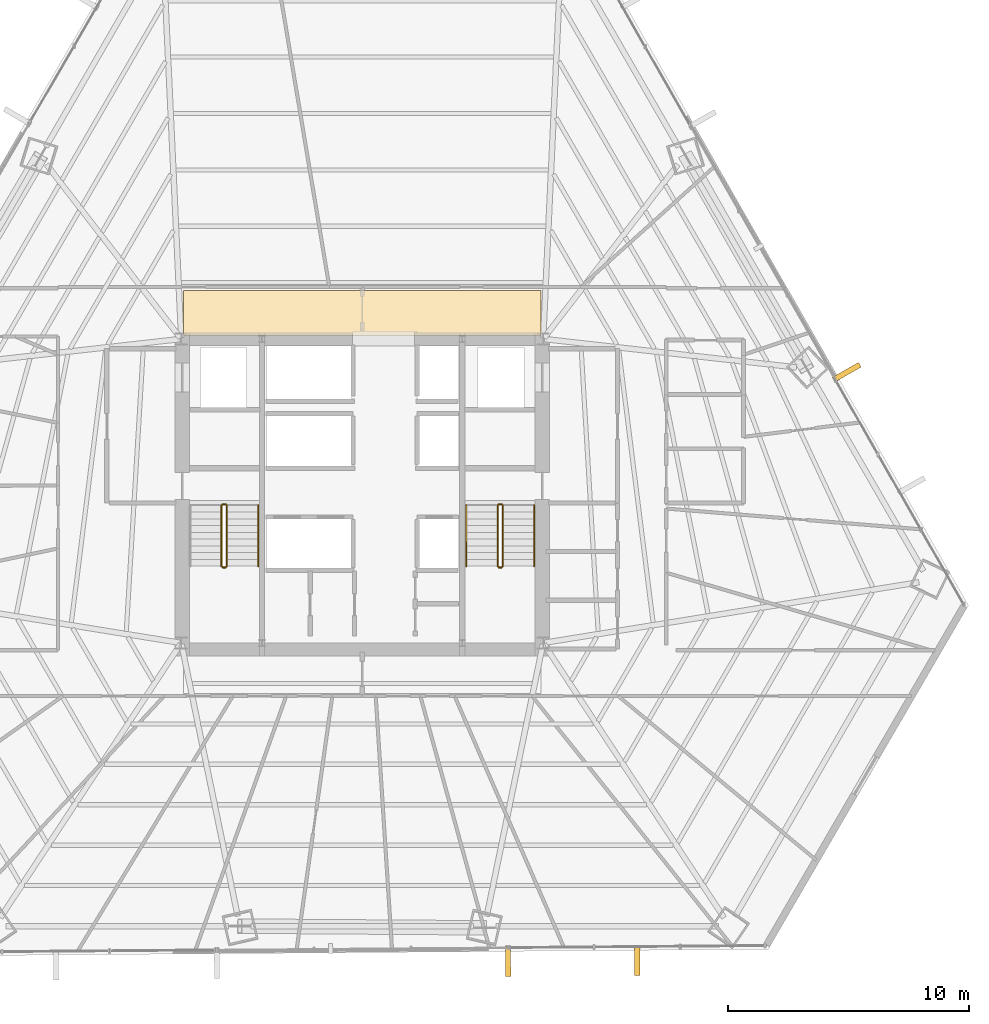
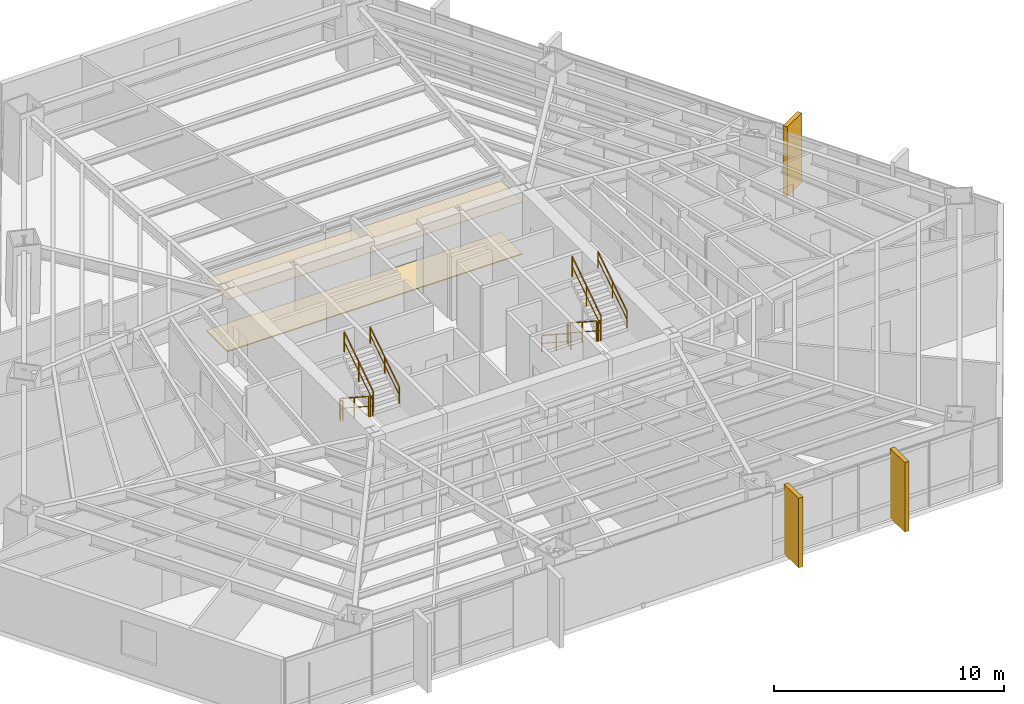
# One storey, part 37 of 38: 11 railings, 5 coverings.
"""IFC4 building model written with IfcOpenShell, lengths in metres."""

from ifc_helpers import new_model, si_unit, direction, frame, origin, origin_2d, place, context, subcontext, project, spatial, polyline, rectangle, outline, extrude, source, transform, mapped, material, layer, layer_set, type_object, type_shapes, element, save


model = new_model("IFC4")

# Units and contexts
model_context = context("Model", 3, precision=1e-05, world=origin(), true_north=direction((0.0, 1.0)))
body_context = subcontext(model_context, "Body", "Model", "MODEL_VIEW")
ifc_project = project(units=[si_unit("LENGTHUNIT", "METRE"), si_unit("AREAUNIT", "SQUARE_METRE"), si_unit("VOLUMEUNIT", "CUBIC_METRE"), si_unit("PLANEANGLEUNIT", "RADIAN"), si_unit("MASSUNIT", "GRAM", prefix="KILO")], contexts=[model_context])

# Site, building, storey
site_placement = place(None, origin())
site = spatial("IfcSite", under=ifc_project, at=site_placement, CompositionType="ELEMENT")
building_placement = place(site_placement, origin())
building = spatial("IfcBuilding", under=site, at=building_placement, Name="Caelisora Broadcast Tower", CompositionType="ELEMENT")
storey_placement = place(building_placement, frame((0.0, 0.0, 67.75)))
storey = spatial("IfcBuildingStorey", under=building, at=storey_placement, Name="L17", CompositionType="ELEMENT", Elevation=67.75)

# Coverings
ifc_material_1 = material(Name="Perforated Mineral-Fibre Acoustic Ceiling Tile", Category="gypsum")
ifc_layer_1 = layer(ifc_material_1, 0.034912109375, Name="Perforated Mineral-Fibre Acoustic Ceiling Tile")
ifc_layer_set_1 = layer_set([ifc_layer_1], Name="Perforated Mineral-Fibre Acoustic Ceiling Tile")
covering_type_1 = type_object("IfcCoveringType", Name="CE-1", PredefinedType="CEILING", material=ifc_layer_set_1)
covering_1_placement = place(storey_placement, frame((0.0, 0.0, 2.75)))
element("IfcCovering", 1, at=covering_1_placement, inside=storey, type_object=covering_type_1, Name="L17 acoustic corridor ceiling CE-1 (N)", PredefinedType="CEILING", context=body_context, shape_type="SweptSolid", body=[
    extrude(outline(polyline([(30.60009765625, 30.14990234375), (45.39990234375, 30.14990234375), (45.39990234375, 32.0), (30.60009765625, 32.0), (30.60009765625, 30.14990234375)])), origin(), (0.0, 0.0, 1.0), 0.034912109375),
])
ifc_material_2 = material(Name="Anti-Static Broadcast Raised Access Floor Panel", Category="steel")
ifc_layer_2 = layer(ifc_material_2, 0.044921875, Name="Anti-Static Broadcast Raised Access Floor Panel")
ifc_layer_set_2 = layer_set([ifc_layer_2], Name="Anti-Static Broadcast Raised Access Floor Panel")
covering_type_2 = type_object("IfcCoveringType", Name="FL-1", PredefinedType="FLOORING", material=ifc_layer_set_2)
covering_2_placement = place(storey_placement, origin())
element("IfcCovering", 2, at=covering_2_placement, inside=storey, type_object=covering_type_2, Name="L17 broadcast raised access floor FL-1 (N)", PredefinedType="FLOORING", context=body_context, shape_type="SweptSolid", body=[
    extrude(outline(polyline([(30.60009765625, 30.14990234375), (45.39990234375, 30.14990234375), (45.39990234375, 32.0), (30.60009765625, 32.0), (30.60009765625, 30.14990234375)])), origin(), (0.0, 0.0, 1.0), 0.044921875),
])

# Railings
ifc_material_3 = material(Name="Galvanised Steel Safety Guardrail", Category="steel")
ifc_layer_3 = layer(ifc_material_3, 0.048095703125, Name="Galvanised Steel Safety Guardrail")
ifc_layer_set_3 = layer_set([ifc_layer_3], Name="Galvanised Steel Safety Guardrail")
railing_type_1 = type_object("IfcRailingType", Name="GR-1", PredefinedType="GUARDRAIL", material=ifc_layer_set_3)
railing_1_placement = place(storey_placement, frame((32.169921875, 23.10009765625, 0.1826171875)))
element("IfcRailing", 3, at=railing_1_placement, inside=storey, type_object=railing_type_1, Name="L17 ST-1 stair guard 1", PredefinedType="GUARDRAIL", context=body_context, shape_type="SweptSolid", body=[
    extrude(rectangle(XDim=0.048095703125, YDim=0.048095703125, at=origin_2d()), frame((0.0, 0.0, 1.076171875), z_axis=(0.0, -0.837786554691, 0.545997883492), x_axis=(1.0, 0.0, 0.0)), (0.0, 0.0, 1.0), 3.008056640625),
    extrude(rectangle(XDim=0.03125, YDim=0.03125, at=origin_2d()), frame((0.0, 0.0, 0.550048828125), z_axis=(0.0, -0.837786554691, 0.545997883492), x_axis=(1.0, 0.0, 0.0)), (0.0, 0.0, 1.0), 3.008056640625),
    extrude(rectangle(XDim=0.0419921875, YDim=0.0419921875, at=origin_2d()), origin(), (0.0, 0.0, 1.0), 1.052001953125),
    extrude(rectangle(XDim=0.0419921875, YDim=0.0419921875, at=origin_2d()), frame((0.0, -1.260009765625, 0.8212890625)), (0.0, 0.0, 1.0), 1.052001953125),
    extrude(rectangle(XDim=0.0419921875, YDim=0.0419921875, at=origin_2d()), frame((0.0, -2.52001953125, 1.642333984375)), (0.0, 0.0, 1.0), 1.052001953125),
])
railing_2_placement = place(storey_placement, frame((32.219970703125, 20.530029296875, 1.824951171875)))
element("IfcRailing", 4, at=railing_2_placement, inside=storey, type_object=railing_type_1, Name="L17 ST-1 stair guard 2", PredefinedType="GUARDRAIL", context=body_context, shape_type="SweptSolid", body=[
    extrude(rectangle(XDim=0.048095703125, YDim=0.048095703125, at=origin_2d()), frame((0.0, 0.0, 1.076171875), z_axis=(1.0, 0.0, 0.0), x_axis=(0.0, 1.0, 0.0)), (0.0, 0.0, 1.0), 0.1201171875),
    extrude(rectangle(XDim=0.03125, YDim=0.03125, at=origin_2d()), frame((0.0, 0.0, 0.550048828125), z_axis=(1.0, 0.0, 0.0), x_axis=(0.0, 1.0, 0.0)), (0.0, 0.0, 1.0), 0.1201171875),
    extrude(rectangle(XDim=0.0419921875, YDim=0.0419921875, at=origin_2d()), origin(), (0.0, 0.0, 1.0), 1.052001953125),
    extrude(rectangle(XDim=0.0419921875, YDim=0.0419921875, at=origin_2d()), frame((0.1201171875, 0.0, 0.0)), (0.0, 0.0, 1.0), 1.052001953125),
])
railing_3_placement = place(storey_placement, frame((32.389892578125, 20.580078125, 2.007568359375)))
element("IfcRailing", 5, at=railing_3_placement, inside=storey, type_object=railing_type_1, Name="L17 ST-1 stair guard 3", PredefinedType="GUARDRAIL", context=body_context, shape_type="SweptSolid", body=[
    extrude(rectangle(XDim=0.048095703125, YDim=0.048095703125, at=origin_2d()), frame((0.0, 0.0, 1.076171875), z_axis=(0.0, 0.837786554691, 0.545997883492), x_axis=(-1.0, 0.0, 0.0)), (0.0, 0.0, 1.0), 3.008056640625),
    extrude(rectangle(XDim=0.03125, YDim=0.03125, at=origin_2d()), frame((0.0, 0.0, 0.550048828125), z_axis=(0.0, 0.837786554691, 0.545997883492), x_axis=(-1.0, 0.0, 0.0)), (0.0, 0.0, 1.0), 3.008056640625),
    extrude(rectangle(XDim=0.0419921875, YDim=0.0419921875, at=origin_2d()), origin(), (0.0, 0.0, 1.0), 1.052001953125),
    extrude(rectangle(XDim=0.0419921875, YDim=0.0419921875, at=origin_2d()), frame((0.0, 1.260009765625, 0.8212890625)), (0.0, 0.0, 1.0), 1.052001953125),
    extrude(rectangle(XDim=0.0419921875, YDim=0.0419921875, at=origin_2d()), frame((0.0, 2.52001953125, 1.642333984375)), (0.0, 0.0, 1.0), 1.052001953125),
])
railing_4_placement = place(storey_placement, frame((32.219970703125, 23.14990234375, 0.0)))
element("IfcRailing", 6, at=railing_4_placement, inside=storey, type_object=railing_type_1, Name="L17 ST-1 stair guard 4", PredefinedType="GUARDRAIL", context=body_context, shape_type="SweptSolid", body=[
    extrude(rectangle(XDim=0.048095703125, YDim=0.048095703125, at=origin_2d()), frame((0.0, 0.0, 1.076171875), z_axis=(1.0, 0.0, 0.0), x_axis=(0.0, 1.0, 0.0)), (0.0, 0.0, 1.0), 0.1201171875),
    extrude(rectangle(XDim=0.03125, YDim=0.03125, at=origin_2d()), frame((0.0, 0.0, 0.550048828125), z_axis=(1.0, 0.0, 0.0), x_axis=(0.0, 1.0, 0.0)), (0.0, 0.0, 1.0), 0.1201171875),
    extrude(rectangle(XDim=0.0419921875, YDim=0.0419921875, at=origin_2d()), origin(), (0.0, 0.0, 1.0), 1.052001953125),
    extrude(rectangle(XDim=0.0419921875, YDim=0.0419921875, at=origin_2d()), frame((0.1201171875, 0.0, 0.0)), (0.0, 0.0, 1.0), 1.052001953125),
])
railing_5_placement = place(storey_placement, frame((43.610107421875, 23.10009765625, 0.1826171875)))
element("IfcRailing", 7, at=railing_5_placement, inside=storey, type_object=railing_type_1, Name="L17 ST-2 stair guard 1", PredefinedType="GUARDRAIL", context=body_context, shape_type="SweptSolid", body=[
    extrude(rectangle(XDim=0.048095703125, YDim=0.048095703125, at=origin_2d()), frame((0.0, 0.0, 1.076171875), z_axis=(0.0, -0.837786554691, 0.545997883492), x_axis=(1.0, 0.0, 0.0)), (0.0, 0.0, 1.0), 3.008056640625),
    extrude(rectangle(XDim=0.03125, YDim=0.03125, at=origin_2d()), frame((0.0, 0.0, 0.550048828125), z_axis=(0.0, -0.837786554691, 0.545997883492), x_axis=(1.0, 0.0, 0.0)), (0.0, 0.0, 1.0), 3.008056640625),
    extrude(rectangle(XDim=0.0419921875, YDim=0.0419921875, at=origin_2d()), origin(), (0.0, 0.0, 1.0), 1.052001953125),
    extrude(rectangle(XDim=0.0419921875, YDim=0.0419921875, at=origin_2d()), frame((0.0, -1.260009765625, 0.8212890625)), (0.0, 0.0, 1.0), 1.052001953125),
    extrude(rectangle(XDim=0.0419921875, YDim=0.0419921875, at=origin_2d()), frame((0.0, -2.52001953125, 1.642333984375)), (0.0, 0.0, 1.0), 1.052001953125),
])
railing_6_placement = place(storey_placement, frame((43.659912109375, 20.530029296875, 1.824951171875)))
element("IfcRailing", 8, at=railing_6_placement, inside=storey, type_object=railing_type_1, Name="L17 ST-2 stair guard 2", PredefinedType="GUARDRAIL", context=body_context, shape_type="SweptSolid", body=[
    extrude(rectangle(XDim=0.048095703125, YDim=0.048095703125, at=origin_2d()), frame((0.0, 0.0, 1.076171875), z_axis=(1.0, 0.0, 0.0), x_axis=(0.0, 1.0, 0.0)), (0.0, 0.0, 1.0), 0.1201171875),
    extrude(rectangle(XDim=0.03125, YDim=0.03125, at=origin_2d()), frame((0.0, 0.0, 0.550048828125), z_axis=(1.0, 0.0, 0.0), x_axis=(0.0, 1.0, 0.0)), (0.0, 0.0, 1.0), 0.1201171875),
    extrude(rectangle(XDim=0.0419921875, YDim=0.0419921875, at=origin_2d()), origin(), (0.0, 0.0, 1.0), 1.052001953125),
    extrude(rectangle(XDim=0.0419921875, YDim=0.0419921875, at=origin_2d()), frame((0.1201171875, 0.0, 0.0)), (0.0, 0.0, 1.0), 1.052001953125),
])
railing_7_placement = place(storey_placement, frame((43.830078125, 20.580078125, 2.007568359375)))
element("IfcRailing", 9, at=railing_7_placement, inside=storey, type_object=railing_type_1, Name="L17 ST-2 stair guard 3", PredefinedType="GUARDRAIL", context=body_context, shape_type="SweptSolid", body=[
    extrude(rectangle(XDim=0.048095703125, YDim=0.048095703125, at=origin_2d()), frame((0.0, 0.0, 1.076171875), z_axis=(0.0, 0.837786554691, 0.545997883492), x_axis=(-1.0, 0.0, 0.0)), (0.0, 0.0, 1.0), 3.008056640625),
    extrude(rectangle(XDim=0.03125, YDim=0.03125, at=origin_2d()), frame((0.0, 0.0, 0.550048828125), z_axis=(0.0, 0.837786554691, 0.545997883492), x_axis=(-1.0, 0.0, 0.0)), (0.0, 0.0, 1.0), 3.008056640625),
    extrude(rectangle(XDim=0.0419921875, YDim=0.0419921875, at=origin_2d()), origin(), (0.0, 0.0, 1.0), 1.052001953125),
    extrude(rectangle(XDim=0.0419921875, YDim=0.0419921875, at=origin_2d()), frame((0.0, 1.260009765625, 0.8212890625)), (0.0, 0.0, 1.0), 1.052001953125),
    extrude(rectangle(XDim=0.0419921875, YDim=0.0419921875, at=origin_2d()), frame((0.0, 2.52001953125, 1.642333984375)), (0.0, 0.0, 1.0), 1.052001953125),
])
railing_8_placement = place(storey_placement, frame((43.659912109375, 23.14990234375, 0.0)))
element("IfcRailing", 10, at=railing_8_placement, inside=storey, type_object=railing_type_1, Name="L17 ST-2 stair guard 4", PredefinedType="GUARDRAIL", context=body_context, shape_type="SweptSolid", body=[
    extrude(rectangle(XDim=0.048095703125, YDim=0.048095703125, at=origin_2d()), frame((0.0, 0.0, 1.076171875), z_axis=(1.0, 0.0, 0.0), x_axis=(0.0, 1.0, 0.0)), (0.0, 0.0, 1.0), 0.1201171875),
    extrude(rectangle(XDim=0.03125, YDim=0.03125, at=origin_2d()), frame((0.0, 0.0, 0.550048828125), z_axis=(1.0, 0.0, 0.0), x_axis=(0.0, 1.0, 0.0)), (0.0, 0.0, 1.0), 0.1201171875),
    extrude(rectangle(XDim=0.0419921875, YDim=0.0419921875, at=origin_2d()), origin(), (0.0, 0.0, 1.0), 1.052001953125),
    extrude(rectangle(XDim=0.0419921875, YDim=0.0419921875, at=origin_2d()), frame((0.1201171875, 0.0, 0.0)), (0.0, 0.0, 1.0), 1.052001953125),
])
ifc_material_4 = material(Name="Stainless Steel Grade 316 Tubular Handrail", Category="steel")
ifc_layer_4 = layer(ifc_material_4, 0.048095703125, Name="Stainless Steel Grade 316 Tubular Handrail")
ifc_layer_set_4 = layer_set([ifc_layer_4], Name="Stainless Steel Grade 316 Tubular Handrail")
railing_type_2 = type_object("IfcRailingType", Name="HR-1", PredefinedType="HANDRAIL", material=ifc_layer_set_4)
railing_9_placement = place(storey_placement, frame((33.68994140625, 20.580078125, 2.007568359375)))
element("IfcRailing", 11, at=railing_9_placement, inside=storey, type_object=railing_type_2, Name="L17 ST-1 stair handrail 2", PredefinedType="HANDRAIL", context=body_context, shape_type="SweptSolid", body=[
    extrude(rectangle(XDim=0.048095703125, YDim=0.048095703125, at=origin_2d()), frame((0.0, 0.0, 0.8759765625), z_axis=(0.0, 0.837786554691, 0.545997883492), x_axis=(-1.0, 0.0, 0.0)), (0.0, 0.0, 1.0), 3.008056640625),
    extrude(rectangle(XDim=0.03125, YDim=0.03125, at=origin_2d()), frame((0.0, 0.0, 0.449951171875), z_axis=(0.0, 0.837786554691, 0.545997883492), x_axis=(-1.0, 0.0, 0.0)), (0.0, 0.0, 1.0), 3.008056640625),
    extrude(rectangle(XDim=0.0419921875, YDim=0.0419921875, at=origin_2d()), origin(), (0.0, 0.0, 1.0), 0.851806640625),
    extrude(rectangle(XDim=0.0419921875, YDim=0.0419921875, at=origin_2d()), frame((0.0, 1.260009765625, 0.8212890625)), (0.0, 0.0, 1.0), 0.851806640625),
    extrude(rectangle(XDim=0.0419921875, YDim=0.0419921875, at=origin_2d()), frame((0.0, 2.52001953125, 1.642333984375)), (0.0, 0.0, 1.0), 0.851806640625),
])
railing_10_placement = place(storey_placement, frame((42.31005859375, 23.10009765625, 0.1826171875)))
element("IfcRailing", 12, at=railing_10_placement, inside=storey, type_object=railing_type_2, Name="L17 ST-2 stair handrail 1", PredefinedType="HANDRAIL", context=body_context, shape_type="SweptSolid", body=[
    extrude(rectangle(XDim=0.048095703125, YDim=0.048095703125, at=origin_2d()), frame((0.0, 0.0, 0.8759765625), z_axis=(0.0, -0.837786554691, 0.545997883492), x_axis=(1.0, 0.0, 0.0)), (0.0, 0.0, 1.0), 3.008056640625),
    extrude(rectangle(XDim=0.03125, YDim=0.03125, at=origin_2d()), frame((0.0, 0.0, 0.449951171875), z_axis=(0.0, -0.837786554691, 0.545997883492), x_axis=(1.0, 0.0, 0.0)), (0.0, 0.0, 1.0), 3.008056640625),
    extrude(rectangle(XDim=0.0419921875, YDim=0.0419921875, at=origin_2d()), origin(), (0.0, 0.0, 1.0), 0.851806640625),
    extrude(rectangle(XDim=0.0419921875, YDim=0.0419921875, at=origin_2d()), frame((0.0, -1.260009765625, 0.8212890625)), (0.0, 0.0, 1.0), 0.851806640625),
    extrude(rectangle(XDim=0.0419921875, YDim=0.0419921875, at=origin_2d()), frame((0.0, -2.52001953125, 1.642333984375)), (0.0, 0.0, 1.0), 0.851806640625),
])
railing_11_placement = place(storey_placement, frame((45.1298828125, 20.580078125, 2.007568359375)))
element("IfcRailing", 13, at=railing_11_placement, inside=storey, type_object=railing_type_2, Name="L17 ST-2 stair handrail 2", PredefinedType="HANDRAIL", context=body_context, shape_type="SweptSolid", body=[
    extrude(rectangle(XDim=0.048095703125, YDim=0.048095703125, at=origin_2d()), frame((0.0, 0.0, 0.8759765625), z_axis=(0.0, 0.837786554691, 0.545997883492), x_axis=(-1.0, 0.0, 0.0)), (0.0, 0.0, 1.0), 3.008056640625),
    extrude(rectangle(XDim=0.03125, YDim=0.03125, at=origin_2d()), frame((0.0, 0.0, 0.449951171875), z_axis=(0.0, 0.837786554691, 0.545997883492), x_axis=(-1.0, 0.0, 0.0)), (0.0, 0.0, 1.0), 3.008056640625),
    extrude(rectangle(XDim=0.0419921875, YDim=0.0419921875, at=origin_2d()), origin(), (0.0, 0.0, 1.0), 0.851806640625),
    extrude(rectangle(XDim=0.0419921875, YDim=0.0419921875, at=origin_2d()), frame((0.0, 1.260009765625, 0.8212890625)), (0.0, 0.0, 1.0), 0.851806640625),
    extrude(rectangle(XDim=0.0419921875, YDim=0.0419921875, at=origin_2d()), frame((0.0, 2.52001953125, 1.642333984375)), (0.0, 0.0, 1.0), 0.851806640625),
])

# Coverings
ifc_material_5 = material(Name="Kiln-Fired Terracotta Spandrel Rainscreen Cladding", Category="ceramic")
ifc_layer_5 = layer(ifc_material_5, 0.044921875, Name="Kiln-Fired Terracotta Spandrel Rainscreen Cladding")
ifc_layer_set_5 = layer_set([ifc_layer_5], Name="Kiln-Fired Terracotta Spandrel Rainscreen Cladding")
covering_type_3 = type_object("IfcCoveringType", Name="CL-1", PredefinedType="CLADDING", material=ifc_layer_set_5)
shared_shape = source(origin(), body_context, "Body", "SweptSolid", [
    extrude(rectangle(XDim=0.219970703125, YDim=1.25, at=origin_2d()), origin(), (0.0, 0.0, 1.0), 3.68994140625),
])
type_shapes(covering_type_3, [shared_shape])
for number, where, z_axis, x_axis, name in (
    (14, (58.07958984375, 28.6201171875, -0.02001953125), (0.0, 0.0, 1.0), (0.495913414893, -0.868371973828, 0.0), "L17 vertical solar fin cladding #1-3"),
    (15, (49.397216796875, 4.252197265625, -0.02001953125), (0.0, 0.0, 1.0), (-0.99996777165, -0.00802842831, 0.0), "L17 vertical solar fin cladding #2-1"),
    (16, (44.043701171875, 4.209228515625, -0.02001953125), (0.0, 0.0, 1.0), (-0.99996777165, -0.00802842831, 0.0), "L17 vertical solar fin cladding #2-2"),
):
    element("IfcCovering", number, at=place(storey_placement, frame(where, z_axis=z_axis, x_axis=x_axis)), inside=storey, type_object=covering_type_3, Name=name, PredefinedType="CLADDING", context=body_context, shape_type="MappedRepresentation", body=[
        mapped(shared_shape, transform((0.0, 0.0, 0.0), scale=1.0)),
    ])

save(model, "model.ifc")
